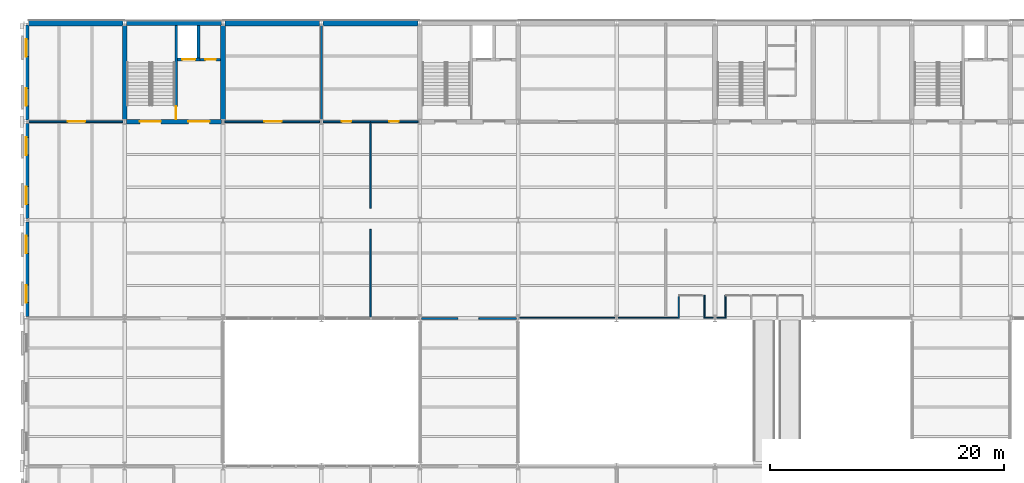
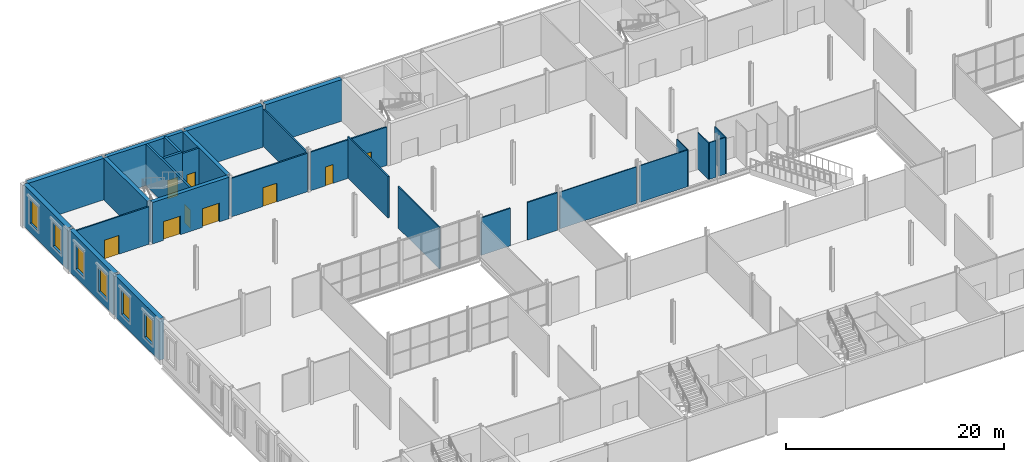
# One storey, part 30 of 52: 30 walls, 9 doors, 6 windows, 15 openings.
"""IFC4 building model written with IfcOpenShell, lengths in metres."""

from ifc_helpers import new_model, si_unit, direction, frame, frame_2d, origin, place, context, subcontext, project, spatial, rectangle, extrude, material, layer, layer_set, type_object, element, fill, save


model = new_model("IFC4")

# Units and contexts
model_context = context("Model", 3, precision=1e-05, world=origin(), true_north=direction((0.0, 1.0)))
body_context = subcontext(model_context, "Body", "Model", "MODEL_VIEW")
ifc_project = project(units=[si_unit("LENGTHUNIT", "METRE"), si_unit("AREAUNIT", "SQUARE_METRE"), si_unit("VOLUMEUNIT", "CUBIC_METRE"), si_unit("PLANEANGLEUNIT", "RADIAN"), si_unit("MASSUNIT", "GRAM", prefix="KILO")], contexts=[model_context])

# Site, building, storey
site_placement = place(None, origin())
site = spatial("IfcSite", under=ifc_project, at=site_placement, CompositionType="ELEMENT")
building_placement = place(site_placement, origin())
building = spatial("IfcBuilding", under=site, at=building_placement, Name="Galleria Vessillo Department Store", CompositionType="ELEMENT")
storey_placement = place(building_placement, frame((0.0, 0.0, 16.199951171875)))
storey = spatial("IfcBuildingStorey", under=building, at=storey_placement, Name="L03", CompositionType="ELEMENT", Elevation=16.199951171875)

# Walls
ifc_material_1 = material(Name="Fire-resisting glass in steel frame S355 J2", Category="steel")
ifc_layer_1 = layer(ifc_material_1, 0.10009765625)
ifc_layer_set_1 = layer_set([ifc_layer_1], Name="Fire-resisting glass in steel frame S355 J2")
wall_type_1 = type_object("IfcWallType", Name="Fire-resisting glazed screen EI 120-Sa 100 mm", PredefinedType="PARTITIONING", material=ifc_layer_set_1)
wall_1_placement = place(storey_placement, frame((42.152587890625, 37.85009765625, 0.0), z_axis=(0.0, 0.0, 1.0), x_axis=(1.0, 0.0, 0.0)))
element("IfcWall", 1, at=wall_1_placement, inside=storey, type_object=wall_type_1, Name="Fire screen, atrium edge L03", PredefinedType="PARTITIONING", context=body_context, shape_type="SweptSolid", body=[
    extrude(rectangle(XDim=8.094482421875, YDim=0.10009765625, at=frame_2d((4.04736328125, 0.0))), origin(), (0.0, 0.0, 1.0), 4.110107421875),
])
wall_2_placement = place(storey_placement, frame((50.552978515625, 37.85009765625, 0.0), z_axis=(0.0, 0.0, 1.0), x_axis=(1.0, 0.0, 0.0)))
element("IfcWall", 2, at=wall_2_placement, inside=storey, type_object=wall_type_1, Name="Fire screen, atrium edge L03", PredefinedType="PARTITIONING", context=body_context, shape_type="SweptSolid", body=[
    extrude(rectangle(XDim=5.09716796875, YDim=0.10009765625, at=frame_2d((2.548583984375, 0.0))), origin(), (0.0, 0.0, 1.0), 4.110107421875),
])
wall_3_placement = place(storey_placement, frame((57.949951171875, 37.85009765625, 0.0), z_axis=(0.0, 0.0, 1.0), x_axis=(1.0, 0.0, 0.0)))
element("IfcWall", 3, at=wall_3_placement, inside=storey, type_object=wall_type_1, Name="Fire screen, atrium edge L03", PredefinedType="PARTITIONING", context=body_context, shape_type="SweptSolid", body=[
    extrude(rectangle(XDim=0.697021484375, YDim=0.10009765625, at=frame_2d((0.3486328125, 0.0))), origin(), (0.0, 0.0, 1.0), 4.110107421875),
])
wall_4_placement = place(storey_placement, frame((58.952880859375, 37.85009765625, 0.0), z_axis=(0.0, 0.0, 1.0), x_axis=(1.0, 0.0, 0.0)))
element("IfcWall", 4, at=wall_4_placement, inside=storey, type_object=wall_type_1, Name="Fire screen, atrium edge L03", PredefinedType="PARTITIONING", context=body_context, shape_type="SweptSolid", body=[
    extrude(rectangle(XDim=0.697265625, YDim=0.10009765625, at=frame_2d((0.3486328125, 0.0))), origin(), (0.0, 0.0, 1.0), 4.110107421875),
])
for number, where, z_axis, x_axis, name in (
    (5, (55.7001953125, 37.800048828125, 0.0), (0.0, 0.0, 1.0), (0.0, 1.0, 0.0), "Fire screen, landing alcove side L03"),
    (6, (57.89990234375, 37.800048828125, 0.0), (0.0, 0.0, 1.0), (0.0, 1.0, 0.0), "Fire screen, landing alcove side L03"),
    (7, (59.7001953125, 37.800048828125, 0.0), (0.0, 0.0, 1.0), (0.0, 1.0, 0.0), "Fire screen, landing alcove side L03"),
):
    element("IfcWall", number, at=place(storey_placement, frame(where, z_axis=z_axis, x_axis=x_axis)), inside=storey, type_object=wall_type_1, Name=name, PredefinedType="PARTITIONING", context=body_context, shape_type="SweptSolid", body=[
        extrude(rectangle(XDim=2.0, YDim=0.10009765625, at=frame_2d((1.0, 0.0))), origin(), (0.0, 0.0, 1.0), 4.110107421875),
    ])

# Wall, opening, door
ifc_material_2 = material(Name="Solid clay block masonry", Category="masonry")
ifc_layer_2 = layer(ifc_material_2, 0.25)
ifc_layer_set_2 = layer_set([ifc_layer_2], Name="Solid clay block masonry")
wall_type_2 = type_object("IfcWallType", Name="Lift shaft wall 250 mm", PredefinedType="SOLIDWALL", material=ifc_layer_set_2)
wall_5_placement = place(storey_placement, frame((12.89990234375, 59.925048828125, 0.0), z_axis=(0.0, 0.0, 1.0), x_axis=(1.0, 0.0, 0.0)))
wall_5 = element("IfcWall", 8, at=wall_5_placement, inside=storey, type_object=wall_type_2, Name="Lift shaft wall LP2 landing side L03", PredefinedType="SOLIDWALL", context=body_context, shape_type="SweptSolid", body=[
    extrude(rectangle(XDim=1.9501953125, YDim=0.25, at=frame_2d((0.97509765625, 0.0))), origin(), (0.0, 0.0, 1.0), 4.800048828125),
])
opening_1_placement = place(wall_5_placement, frame((0.425048828125, 0.0, 0.0)))
opening_1 = element("IfcOpeningElement", 9, at=opening_1_placement, cuts=wall_5, Name="Opening LD014", PredefinedType="OPENING", context=body_context, shape_type="SweptSolid", body=[
    extrude(rectangle(XDim=1.10009765625, YDim=2.10009765625, at=frame_2d((0.550048828125, 1.050048828125))), frame((0.0, 0.135009765625, 0.0), z_axis=(0.0, -1.0, 0.0), x_axis=(1.0, 0.0, 0.0)), (0.0, 0.0, 1.0), 0.27001953125),
])
ifc_material_3 = material(Name="Stainless steel lift door panel", Category="steel")
door_type_1 = type_object("IfcDoorType", Name="Lift landing door LD110 sliding 1100 x 2100", OperationType="SLIDING_TO_LEFT", PredefinedType="DOOR", material=ifc_material_3)
door_1_placement = place(opening_1_placement, frame((1.10009765625, 0.0, 0.0), z_axis=(0.0, 0.0, 1.0), x_axis=(-1.0, 0.0, 0.0)))
door_1 = element("IfcDoor", 10, at=door_1_placement, inside=storey, type_object=door_type_1, Name="Lift landing door LP2 L03", OperationType="SLIDING_TO_RIGHT", OverallHeight=2.10009765625, OverallWidth=1.10009765625, PredefinedType="DOOR", context=body_context, shape_type="SweptSolid", body=[
    extrude(rectangle(XDim=1.10009765625, YDim=2.10009765625, at=frame_2d((0.550048828125, 1.050048828125))), frame((0.0, 0.02490234375, 0.0), z_axis=(0.0, -1.0, 0.0), x_axis=(1.0, 0.0, 0.0)), (0.0, 0.0, 1.0), 0.050048828125),
])
fill(opening_1, door_1)

# Wall
wall_6_placement = place(storey_placement, frame((14.72509765625, 62.800048828125, 0.0), z_axis=(0.0, 0.0, 1.0), x_axis=(0.0, -1.0, 0.0)))
element("IfcWall", 11, at=wall_6_placement, inside=storey, type_object=wall_type_2, Name="Lift shaft wall LP2 L03", PredefinedType="SOLIDWALL", context=body_context, shape_type="SweptSolid", body=[
    extrude(rectangle(XDim=2.75, YDim=0.25, at=frame_2d((1.375, 0.0))), origin(), (0.0, 0.0, 1.0), 4.800048828125),
])

# Wall, openings, windows
ifc_material_4 = material(Name="Reinforced masonry, limestone units 80 MPa", Category="masonry")
ifc_layer_3 = layer(ifc_material_4, 0.5)
ifc_layer_set_3 = layer_set([ifc_layer_3], Name="Reinforced masonry, limestone units 80 MPa")
wall_type_3 = type_object("IfcWallType", Name="Load-bearing limestone-faced wall 500 mm", PredefinedType="STANDARD", material=ifc_layer_set_3)
wall_7_placement = place(storey_placement, frame((0.0, 37.949951171875, 0.0), z_axis=(0.0, 0.0, 1.0), x_axis=(0.0, 1.0, 0.0)))
wall_7 = element("IfcWall", 12, at=wall_7_placement, inside=storey, type_object=wall_type_3, Name="Load-bearing limestone-faced wall 500 mm SW-L03-05", PredefinedType="STANDARD", context=body_context, shape_type="SweptSolid", body=[
    extrude(rectangle(XDim=8.10009765625, YDim=0.5, at=frame_2d((4.050048828125, 0.0))), origin(), (0.0, 0.0, 1.0), 4.650146484375),
])
opening_2_placement = place(wall_7_placement, frame((1.199951171875, 0.0, 1.0)))
opening_2 = element("IfcOpeningElement", 13, at=opening_2_placement, cuts=wall_7, Name="Opening W022", PredefinedType="OPENING", context=body_context, shape_type="SweptSolid", body=[
    extrude(rectangle(XDim=1.5, YDim=2.699951171875, at=frame_2d((0.75, 1.35009765625))), frame((0.0, 0.260009765625, 0.0), z_axis=(0.0, -1.0, 0.0), x_axis=(1.0, 0.0, 0.0)), (0.0, 0.0, 1.0), 0.52001953125),
])
opening_3_placement = place(wall_7_placement, frame((5.400146484375, 0.0, 1.0)))
opening_3 = element("IfcOpeningElement", 14, at=opening_3_placement, cuts=wall_7, Name="Opening W023", PredefinedType="OPENING", context=body_context, shape_type="SweptSolid", body=[
    extrude(rectangle(XDim=1.5, YDim=2.699951171875, at=frame_2d((0.75, 1.35009765625))), frame((0.0, 0.260009765625, 0.0), z_axis=(0.0, -1.0, 0.0), x_axis=(1.0, 0.0, 0.0)), (0.0, 0.0, 1.0), 0.52001953125),
])
ifc_material_5 = material(Name="Aluminium frame with laminated glass 44.2", Category="aluminium")
window_type = type_object("IfcWindowType", Name="Second order window 1500 x 2700", PartitioningType="SINGLE_PANEL", PredefinedType="WINDOW", material=ifc_material_5)
window_1_placement = place(opening_2_placement, origin())
window_1 = element("IfcWindow", 15, at=window_1_placement, inside=storey, type_object=window_type, Name="E-WIN-SW-L03-05-022", OverallHeight=2.699951171875, OverallWidth=1.5, PartitioningType="SINGLE_PANEL", PredefinedType="WINDOW", context=body_context, shape_type="SweptSolid", body=[
    extrude(rectangle(XDim=1.5, YDim=2.699951171875, at=frame_2d((0.75, 1.35009765625))), frame((0.0, 0.030029296875, 0.0), z_axis=(0.0, -1.0, 0.0), x_axis=(1.0, 0.0, 0.0)), (0.0, 0.0, 1.0), 0.06005859375),
])
fill(opening_2, window_1)
window_2_placement = place(opening_3_placement, origin())
window_2 = element("IfcWindow", 16, at=window_2_placement, inside=storey, type_object=window_type, Name="E-WIN-SW-L03-05-023", OverallHeight=2.699951171875, OverallWidth=1.5, PartitioningType="SINGLE_PANEL", PredefinedType="WINDOW", context=body_context, shape_type="SweptSolid", body=[
    extrude(rectangle(XDim=1.5, YDim=2.699951171875, at=frame_2d((0.75, 1.35009765625))), frame((0.0, 0.030029296875, 0.0), z_axis=(0.0, -1.0, 0.0), x_axis=(1.0, 0.0, 0.0)), (0.0, 0.0, 1.0), 0.06005859375),
])
fill(opening_3, window_2)

wall_8_placement = place(storey_placement, frame((0.0, 46.349853515625, 0.0), z_axis=(0.0, 0.0, 1.0), x_axis=(0.0, 1.0, 0.0)))
wall_8 = element("IfcWall", 17, at=wall_8_placement, inside=storey, type_object=wall_type_3, Name="Load-bearing limestone-faced wall 500 mm SW-L03-06", PredefinedType="STANDARD", context=body_context, shape_type="SweptSolid", body=[
    extrude(rectangle(XDim=8.100341796875, YDim=0.5, at=frame_2d((4.05029296875, 0.0))), origin(), (0.0, 0.0, 1.0), 4.650146484375),
])
opening_4_placement = place(wall_8_placement, frame((1.2001953125, 0.0, 1.0)))
opening_4 = element("IfcOpeningElement", 18, at=opening_4_placement, cuts=wall_8, Name="Opening W024", PredefinedType="OPENING", context=body_context, shape_type="SweptSolid", body=[
    extrude(rectangle(XDim=1.5, YDim=2.699951171875, at=frame_2d((0.75, 1.35009765625))), frame((0.0, 0.260009765625, 0.0), z_axis=(0.0, -1.0, 0.0), x_axis=(1.0, 0.0, 0.0)), (0.0, 0.0, 1.0), 0.52001953125),
])
opening_5_placement = place(wall_8_placement, frame((5.400146484375, 0.0, 1.0)))
opening_5 = element("IfcOpeningElement", 19, at=opening_5_placement, cuts=wall_8, Name="Opening W025", PredefinedType="OPENING", context=body_context, shape_type="SweptSolid", body=[
    extrude(rectangle(XDim=1.5, YDim=2.699951171875, at=frame_2d((0.75, 1.35009765625))), frame((0.0, 0.260009765625, 0.0), z_axis=(0.0, -1.0, 0.0), x_axis=(1.0, 0.0, 0.0)), (0.0, 0.0, 1.0), 0.52001953125),
])
window_3_placement = place(opening_4_placement, origin())
window_3 = element("IfcWindow", 20, at=window_3_placement, inside=storey, type_object=window_type, Name="E-WIN-SW-L03-06-024", OverallHeight=2.699951171875, OverallWidth=1.5, PartitioningType="SINGLE_PANEL", PredefinedType="WINDOW", context=body_context, shape_type="SweptSolid", body=[
    extrude(rectangle(XDim=1.5, YDim=2.699951171875, at=frame_2d((0.75, 1.35009765625))), frame((0.0, 0.030029296875, 0.0), z_axis=(0.0, -1.0, 0.0), x_axis=(1.0, 0.0, 0.0)), (0.0, 0.0, 1.0), 0.06005859375),
])
fill(opening_4, window_3)
window_4_placement = place(opening_5_placement, origin())
window_4 = element("IfcWindow", 21, at=window_4_placement, inside=storey, type_object=window_type, Name="E-WIN-SW-L03-06-025", OverallHeight=2.699951171875, OverallWidth=1.5, PartitioningType="SINGLE_PANEL", PredefinedType="WINDOW", context=body_context, shape_type="SweptSolid", body=[
    extrude(rectangle(XDim=1.5, YDim=2.699951171875, at=frame_2d((0.75, 1.35009765625))), frame((0.0, 0.030029296875, 0.0), z_axis=(0.0, -1.0, 0.0), x_axis=(1.0, 0.0, 0.0)), (0.0, 0.0, 1.0), 0.06005859375),
])
fill(opening_5, window_4)

wall_9_placement = place(storey_placement, frame((0.0, 54.75, 0.0), z_axis=(0.0, 0.0, 1.0), x_axis=(0.0, 1.0, 0.0)))
wall_9 = element("IfcWall", 22, at=wall_9_placement, inside=storey, type_object=wall_type_3, Name="Load-bearing limestone-faced wall 500 mm SW-L03-07", PredefinedType="STANDARD", context=body_context, shape_type="SweptSolid", body=[
    extrude(rectangle(XDim=8.10009765625, YDim=0.5, at=frame_2d((4.050048828125, 0.0))), origin(), (0.0, 0.0, 1.0), 4.650146484375),
])
opening_6_placement = place(wall_9_placement, frame((1.199951171875, 0.0, 1.0)))
opening_6 = element("IfcOpeningElement", 23, at=opening_6_placement, cuts=wall_9, Name="Opening W026", PredefinedType="OPENING", context=body_context, shape_type="SweptSolid", body=[
    extrude(rectangle(XDim=1.5, YDim=2.699951171875, at=frame_2d((0.75, 1.35009765625))), frame((0.0, 0.260009765625, 0.0), z_axis=(0.0, -1.0, 0.0), x_axis=(1.0, 0.0, 0.0)), (0.0, 0.0, 1.0), 0.52001953125),
])
opening_7_placement = place(wall_9_placement, frame((5.39990234375, 0.0, 1.0)))
opening_7 = element("IfcOpeningElement", 24, at=opening_7_placement, cuts=wall_9, Name="Opening W027", PredefinedType="OPENING", context=body_context, shape_type="SweptSolid", body=[
    extrude(rectangle(XDim=1.5, YDim=2.699951171875, at=frame_2d((0.75, 1.35009765625))), frame((0.0, 0.260009765625, 0.0), z_axis=(0.0, -1.0, 0.0), x_axis=(1.0, 0.0, 0.0)), (0.0, 0.0, 1.0), 0.52001953125),
])
window_5_placement = place(opening_6_placement, origin())
window_5 = element("IfcWindow", 25, at=window_5_placement, inside=storey, type_object=window_type, Name="E-WIN-SW-L03-07-026", OverallHeight=2.699951171875, OverallWidth=1.5, PartitioningType="SINGLE_PANEL", PredefinedType="WINDOW", context=body_context, shape_type="SweptSolid", body=[
    extrude(rectangle(XDim=1.5, YDim=2.699951171875, at=frame_2d((0.75, 1.35009765625))), frame((0.0, 0.030029296875, 0.0), z_axis=(0.0, -1.0, 0.0), x_axis=(1.0, 0.0, 0.0)), (0.0, 0.0, 1.0), 0.06005859375),
])
fill(opening_6, window_5)
window_6_placement = place(opening_7_placement, origin())
window_6 = element("IfcWindow", 26, at=window_6_placement, inside=storey, type_object=window_type, Name="E-WIN-SW-L03-07-027", OverallHeight=2.699951171875, OverallWidth=1.5, PartitioningType="SINGLE_PANEL", PredefinedType="WINDOW", context=body_context, shape_type="SweptSolid", body=[
    extrude(rectangle(XDim=1.5, YDim=2.699951171875, at=frame_2d((0.75, 1.35009765625))), frame((0.0, 0.030029296875, 0.0), z_axis=(0.0, -1.0, 0.0), x_axis=(1.0, 0.0, 0.0)), (0.0, 0.0, 1.0), 0.06005859375),
])
fill(opening_7, window_6)

# Wall, openings, doors
ifc_material_6 = material(Name="Concrete C32/40 reinforced", Category="concrete")
ifc_layer_4 = layer(ifc_material_6, 0.39990234375)
ifc_layer_set_4 = layer_set([ifc_layer_4], Name="Concrete C32/40 reinforced")
wall_type_4 = type_object("IfcWallType", Name="Reinforced concrete core wall 400 mm", PredefinedType="SHEAR", material=ifc_layer_set_4)
wall_10_placement = place(storey_placement, frame((8.5498046875, 54.60009765625, 0.0), z_axis=(0.0, 0.0, 1.0), x_axis=(1.0, 0.0, 0.0)))
wall_10 = element("IfcWall", 27, at=wall_10_placement, inside=storey, type_object=wall_type_4, Name="S-CW-PC-NW-INTERIOR-L03", PredefinedType="SHEAR", context=body_context, shape_type="SweptSolid", body=[
    extrude(rectangle(XDim=8.100341796875, YDim=0.39990234375, at=frame_2d((4.05029296875, 0.0))), origin(), (0.0, 0.0, 1.0), 4.650146484375),
])
opening_8_placement = place(wall_10_placement, frame((1.150146484375, 0.0, 0.0)))
opening_8 = element("IfcOpeningElement", 28, at=opening_8_placement, cuts=wall_10, Name="Opening D5055", PredefinedType="OPENING", context=body_context, shape_type="SweptSolid", body=[
    extrude(rectangle(XDim=1.800048828125, YDim=2.10009765625, at=frame_2d((0.89990234375, 1.050048828125))), frame((0.0, 0.2099609375, 0.0), z_axis=(0.0, -1.0, 0.0), x_axis=(1.0, 0.0, 0.0)), (0.0, 0.0, 1.0), 0.419921875),
])
opening_9_placement = place(wall_10_placement, frame((5.300048828125, 0.0, 0.0)))
opening_9 = element("IfcOpeningElement", 29, at=opening_9_placement, cuts=wall_10, Name="Opening D5056", PredefinedType="OPENING", context=body_context, shape_type="SweptSolid", body=[
    extrude(rectangle(XDim=1.800048828125, YDim=2.10009765625, at=frame_2d((0.89990234375, 1.050048828125))), frame((0.0, 0.2099609375, 0.0), z_axis=(0.0, -1.0, 0.0), x_axis=(1.0, 0.0, 0.0)), (0.0, 0.0, 1.0), 0.419921875),
])
ifc_material_7 = material(Name="Fire-rated steel door leaf", Category="steel")
door_type_2 = type_object("IfcDoorType", Name="Door D180F double leaf 1800 x 2100", OperationType="DOUBLE_DOOR_SINGLE_SWING", PredefinedType="DOOR", material=ifc_material_7)
door_2_placement = place(opening_8_placement, origin())
door_2 = element("IfcDoor", 30, at=door_2_placement, inside=storey, type_object=door_type_2, Name="Lobby door PC-NW-ST-FLOOR L03", OperationType="DOUBLE_DOOR_SINGLE_SWING", OverallHeight=2.10009765625, OverallWidth=1.800048828125, PredefinedType="DOOR", context=body_context, shape_type="SweptSolid", body=[
    extrude(rectangle(XDim=1.800048828125, YDim=2.10009765625, at=frame_2d((0.89990234375, 1.050048828125))), frame((0.0, 0.02490234375, 0.0), z_axis=(0.0, -1.0, 0.0), x_axis=(1.0, 0.0, 0.0)), (0.0, 0.0, 1.0), 0.050048828125),
])
fill(opening_8, door_2)
door_3_placement = place(opening_9_placement, origin())
door_3 = element("IfcDoor", 31, at=door_3_placement, inside=storey, type_object=door_type_2, Name="Lobby door PC-NW-LOBBY-FLOOR L03", OperationType="DOUBLE_DOOR_SINGLE_SWING", OverallHeight=2.10009765625, OverallWidth=1.800048828125, PredefinedType="DOOR", context=body_context, shape_type="SweptSolid", body=[
    extrude(rectangle(XDim=1.800048828125, YDim=2.10009765625, at=frame_2d((0.89990234375, 1.050048828125))), frame((0.0, 0.02490234375, 0.0), z_axis=(0.0, -1.0, 0.0), x_axis=(1.0, 0.0, 0.0)), (0.0, 0.0, 1.0), 0.050048828125),
])
fill(opening_9, door_3)

# Walls
wall_11_placement = place(storey_placement, frame((16.800048828125, 54.800048828125, 0.0), z_axis=(0.0, 0.0, 1.0), x_axis=(0.0, 1.0, 0.0)))
element("IfcWall", 32, at=wall_11_placement, inside=storey, type_object=wall_type_4, Name="S-CW-PC-NW-EAST-L03", PredefinedType="SHEAR", context=body_context, shape_type="SweptSolid", body=[
    extrude(rectangle(XDim=8.0, YDim=0.39990234375, at=frame_2d((4.0, 0.0))), origin(), (0.0, 0.0, 1.0), 4.650146484375),
])
ifc_material_8 = material(Name="Concrete C32/40 reinforced", Category="concrete")
ifc_layer_5 = layer(ifc_material_8, 0.39990234375)
ifc_layer_set_5 = layer_set([ifc_layer_5], Name="Concrete C32/40 reinforced")
wall_type_5 = type_object("IfcWallType", Name="Reinforced concrete core wall 400 mm, external", PredefinedType="SHEAR", material=ifc_layer_set_5)
wall_12_placement = place(storey_placement, frame((8.5498046875, 63.0, 0.0), z_axis=(0.0, 0.0, 1.0), x_axis=(1.0, 0.0, 0.0)))
element("IfcWall", 33, at=wall_12_placement, inside=storey, type_object=wall_type_5, Name="S-CW-PC-NW-PARTY-L03", PredefinedType="SHEAR", context=body_context, shape_type="SweptSolid", body=[
    extrude(rectangle(XDim=8.100341796875, YDim=0.39990234375, at=frame_2d((4.05029296875, 0.0))), origin(), (0.0, 0.0, 1.0), 4.650146484375),
])
wall_13_placement = place(storey_placement, frame((8.39990234375, 54.800048828125, 0.0), z_axis=(0.0, 0.0, 1.0), x_axis=(0.0, 1.0, 0.0)))
element("IfcWall", 34, at=wall_13_placement, inside=storey, type_object=wall_type_5, Name="S-CW-PC-NW-WEST-L03", PredefinedType="SHEAR", context=body_context, shape_type="SweptSolid", body=[
    extrude(rectangle(XDim=8.0, YDim=0.39990234375, at=frame_2d((4.0, 0.0))), origin(), (0.0, 0.0, 1.0), 4.650146484375),
])
ifc_material_9 = material(Name="Concrete C32/40 reinforced", Category="concrete")
ifc_layer_6 = layer(ifc_material_9, 0.5)
ifc_layer_set_6 = layer_set([ifc_layer_6], Name="Concrete C32/40 reinforced")
wall_type_6 = type_object("IfcWallType", Name="Reinforced concrete party wall 500 mm", PredefinedType="SHEAR", material=ifc_layer_set_6)
wall_14_placement = place(storey_placement, frame((0.199951171875, 63.0, 0.0), z_axis=(0.0, 0.0, 1.0), x_axis=(1.0, 0.0, 0.0)))
element("IfcWall", 35, at=wall_14_placement, inside=storey, type_object=wall_type_6, Name="S-PN-L03-01", PredefinedType="SHEAR", context=body_context, shape_type="SweptSolid", body=[
    extrude(rectangle(XDim=8.050048828125, YDim=0.5, at=frame_2d((4.02490234375, 0.0))), origin(), (0.0, 0.0, 1.0), 4.650146484375),
])
wall_15_placement = place(storey_placement, frame((16.949951171875, 63.0, 0.0), z_axis=(0.0, 0.0, 1.0), x_axis=(1.0, 0.0, 0.0)))
element("IfcWall", 36, at=wall_15_placement, inside=storey, type_object=wall_type_6, Name="S-PN-L03-02", PredefinedType="SHEAR", context=body_context, shape_type="SweptSolid", body=[
    extrude(rectangle(XDim=8.10009765625, YDim=0.5, at=frame_2d((4.050048828125, 0.0))), origin(), (0.0, 0.0, 1.0), 4.650146484375),
])
wall_16_placement = place(storey_placement, frame((25.349853515625, 63.0, 0.0), z_axis=(0.0, 0.0, 1.0), x_axis=(1.0, 0.0, 0.0)))
element("IfcWall", 37, at=wall_16_placement, inside=storey, type_object=wall_type_6, Name="S-PN-L03-03", PredefinedType="SHEAR", context=body_context, shape_type="SweptSolid", body=[
    extrude(rectangle(XDim=8.100341796875, YDim=0.5, at=frame_2d((4.05029296875, 0.0))), origin(), (0.0, 0.0, 1.0), 4.650146484375),
])

# Wall, opening, door
ifc_material_10 = material(Name="Concrete C32/40 reinforced", Category="concrete")
ifc_layer_7 = layer(ifc_material_10, 0.199951171875)
ifc_layer_set_7 = layer_set([ifc_layer_7], Name="Concrete C32/40 reinforced")
wall_type_7 = type_object("IfcWallType", Name="Reinforced concrete stair enclosure wall 200 mm", PredefinedType="SHEAR", material=ifc_layer_set_7)
wall_17_placement = place(storey_placement, frame((12.7998046875, 62.800048828125, 0.0), z_axis=(0.0, 0.0, 1.0), x_axis=(0.0, -1.0, 0.0)))
wall_17 = element("IfcWall", 38, at=wall_17_placement, inside=storey, type_object=wall_type_7, Name="Stair enclosure wall PC-NW L03", PredefinedType="SHEAR", context=body_context, shape_type="SweptSolid", body=[
    extrude(rectangle(XDim=8.0, YDim=0.199951171875, at=frame_2d((4.0, 0.0))), origin(), (0.0, 0.0, 1.0), 4.650146484375),
])
opening_10_placement = place(wall_17_placement, frame((6.89990234375, 0.0, 0.0)))
opening_10 = element("IfcOpeningElement", 39, at=opening_10_placement, cuts=wall_17, Name="Opening D5053", PredefinedType="OPENING", context=body_context, shape_type="SweptSolid", body=[
    extrude(rectangle(XDim=1.11009765625, YDim=2.10009765625, at=frame_2d((0.554931640625, 1.050048828125))), frame((0.0, 0.10986328125, 0.0), z_axis=(0.0, -1.0, 0.0), x_axis=(1.0, 0.0, 0.0)), (0.0, 0.0, 1.0), 0.219970703125),
])
ifc_material_11 = material(Name="Fire-rated steel door leaf", Category="steel")
door_type_3 = type_object("IfcDoorType", Name="Door D110F stair door 1100 x 2100", OperationType="SINGLE_SWING_LEFT", PredefinedType="DOOR", material=ifc_material_11)
door_4_placement = place(opening_10_placement, frame((1.10009765625, 0.0, 0.0), z_axis=(0.0, 0.0, 1.0), x_axis=(-1.0, 0.0, 0.0)))
door_4 = element("IfcDoor", 40, at=door_4_placement, inside=storey, type_object=door_type_3, Name="Stair door PC-NW-ST-LOBBY L03", OperationType="SINGLE_SWING_LEFT", OverallHeight=2.10009765625, OverallWidth=1.10009765625, PredefinedType="DOOR", context=body_context, shape_type="SweptSolid", body=[
    extrude(rectangle(XDim=1.10009765625, YDim=2.10009765625, at=frame_2d((0.550048828125, 1.050048828125))), frame((0.0, 0.02490234375, 0.0), z_axis=(0.0, -1.0, 0.0), x_axis=(1.0, 0.0, 0.0)), (0.0, 0.0, 1.0), 0.050048828125),
])
fill(opening_10, door_4)

ifc_material_12 = material(Name="Hollow clay block masonry", Category="masonry")
ifc_layer_8 = layer(ifc_material_12, 0.199951171875)
ifc_layer_set_8 = layer_set([ifc_layer_8], Name="Hollow clay block masonry")
wall_type_8 = type_object("IfcWallType", Name="Riser and service room wall 200 mm", PredefinedType="PARTITIONING", material=ifc_layer_set_8)
wall_18_placement = place(storey_placement, frame((14.85009765625, 59.900146484375, 0.0), z_axis=(0.0, 0.0, 1.0), x_axis=(1.0, 0.0, 0.0)))
wall_18 = element("IfcWall", 41, at=wall_18_placement, inside=storey, type_object=wall_type_8, Name="Riser wall PC-NW-RISER L03", PredefinedType="PARTITIONING", context=body_context, shape_type="SweptSolid", body=[
    extrude(rectangle(XDim=1.75, YDim=0.199951171875, at=frame_2d((0.875, 0.0))), origin(), (0.0, 0.0, 1.0), 4.650146484375),
])
opening_11_placement = place(wall_18_placement, frame((0.449951171875, 0.0, 0.0)))
opening_11 = element("IfcOpeningElement", 42, at=opening_11_placement, cuts=wall_18, Name="Opening D5054", PredefinedType="OPENING", context=body_context, shape_type="SweptSolid", body=[
    extrude(rectangle(XDim=0.89990234375, YDim=2.10009765625, at=frame_2d((0.449951171875, 1.050048828125))), frame((0.0, 0.10986328125, 0.0), z_axis=(0.0, -1.0, 0.0), x_axis=(1.0, 0.0, 0.0)), (0.0, 0.0, 1.0), 0.219970703125),
])
ifc_material_13 = material(Name="Fire-rated steel door leaf", Category="steel")
door_type_4 = type_object("IfcDoorType", Name="Door DR90 riser access 900 x 2100", OperationType="SINGLE_SWING_LEFT", PredefinedType="DOOR", material=ifc_material_13)
door_5_placement = place(opening_11_placement, origin())
door_5 = element("IfcDoor", 43, at=door_5_placement, inside=storey, type_object=door_type_4, Name="Riser door PC-NW-RISER-D L03", OperationType="SINGLE_SWING_RIGHT", OverallHeight=2.10009765625, OverallWidth=0.89990234375, PredefinedType="DOOR", context=body_context, shape_type="SweptSolid", body=[
    extrude(rectangle(XDim=0.89990234375, YDim=2.10009765625, at=frame_2d((0.449951171875, 1.050048828125))), frame((0.0, 0.02490234375, 0.0), z_axis=(0.0, -1.0, 0.0), x_axis=(1.0, 0.0, 0.0)), (0.0, 0.0, 1.0), 0.050048828125),
])
fill(opening_11, door_5)

# Walls
ifc_material_14 = material(Name="Gypsum board partition")
ifc_layer_9 = layer(ifc_material_14, 0.139892578125)
ifc_layer_set_9 = layer_set([ifc_layer_9], Name="Gypsum board partition")
wall_type_9 = type_object("IfcWallType", Name="Sales dividing wall 140 mm", PredefinedType="PARTITIONING", material=ifc_layer_set_9)
wall_19_placement = place(storey_placement, frame((29.39990234375, 37.800048828125, 0.0), z_axis=(0.0, 0.0, 1.0), x_axis=(0.0, 1.0, 0.0)))
element("IfcWall", 44, at=wall_19_placement, inside=storey, type_object=wall_type_9, Name="Partition wall PT3 on L03 no. 061", PredefinedType="PARTITIONING", context=body_context, shape_type="SweptSolid", body=[
    extrude(rectangle(XDim=7.60009765625, YDim=0.139892578125, at=frame_2d((3.800048828125, 0.0))), origin(), (0.0, 0.0, 1.0), 4.650146484375),
])
wall_20_placement = place(storey_placement, frame((29.39990234375, 47.199951171875, 0.0), z_axis=(0.0, 0.0, 1.0), x_axis=(0.0, 1.0, 0.0)))
element("IfcWall", 45, at=wall_20_placement, inside=storey, type_object=wall_type_9, Name="Partition wall PT3 on L03 no. 062", PredefinedType="PARTITIONING", context=body_context, shape_type="SweptSolid", body=[
    extrude(rectangle(XDim=7.400146484375, YDim=0.139892578125, at=frame_2d((3.7001953125, 0.0))), origin(), (0.0, 0.0, 1.0), 4.650146484375),
])
wall_21_placement = place(storey_placement, frame((33.752685546875, 37.800048828125, 0.0), z_axis=(0.0, 0.0, 1.0), x_axis=(1.0, 0.0, 0.0)))
element("IfcWall", 46, at=wall_21_placement, inside=storey, type_object=wall_type_9, Name="Partition wall PT3 on L03 no. 068", PredefinedType="PARTITIONING", context=body_context, shape_type="SweptSolid", body=[
    extrude(rectangle(XDim=3.099853515625, YDim=0.139892578125, at=frame_2d((1.5498046875, 0.0))), origin(), (0.0, 0.0, 1.0), 4.210205078125),
])
wall_22_placement = place(storey_placement, frame((38.652587890625, 37.800048828125, 0.0), z_axis=(0.0, 0.0, 1.0), x_axis=(1.0, 0.0, 0.0)))
element("IfcWall", 47, at=wall_22_placement, inside=storey, type_object=wall_type_9, Name="Partition wall PT3 on L03 no. 069", PredefinedType="PARTITIONING", context=body_context, shape_type="SweptSolid", body=[
    extrude(rectangle(XDim=3.19482421875, YDim=0.139892578125, at=frame_2d((1.597412109375, 0.0))), origin(), (0.0, 0.0, 1.0), 4.210205078125),
])
ifc_material_15 = material(Name="Concrete blockwork", Category="masonry")
ifc_layer_10 = layer(ifc_material_15, 0.14990234375)
ifc_layer_set_10 = layer_set([ifc_layer_10], Name="Concrete blockwork")
wall_type_10 = type_object("IfcWallType", Name="Stockroom blockwork wall 150 mm", PredefinedType="SOLIDWALL", material=ifc_layer_set_10)
wall_23_placement = place(storey_placement, frame((25.199951171875, 54.800048828125, 0.0), z_axis=(0.0, 0.0, 1.0), x_axis=(0.0, 1.0, 0.0)))
element("IfcWall", 48, at=wall_23_placement, inside=storey, type_object=wall_type_10, Name="Partition wall PT4 on L03 no. 024", PredefinedType="SOLIDWALL", context=body_context, shape_type="SweptSolid", body=[
    extrude(rectangle(XDim=8.0, YDim=0.14990234375, at=frame_2d((4.0, 0.0))), origin(), (0.0, 0.0, 1.0), 4.210205078125),
])

# Wall, opening, door
wall_24_placement = place(storey_placement, frame((16.949951171875, 54.60009765625, 0.0), z_axis=(0.0, 0.0, 1.0), x_axis=(1.0, 0.0, 0.0)))
wall_24 = element("IfcWall", 49, at=wall_24_placement, inside=storey, type_object=wall_type_10, Name="Partition wall PT4 on L03 no. 025", PredefinedType="SOLIDWALL", context=body_context, shape_type="SweptSolid", body=[
    extrude(rectangle(XDim=8.10009765625, YDim=0.14990234375, at=frame_2d((4.050048828125, 0.0))), origin(), (0.0, 0.0, 1.0), 4.320068359375),
])
opening_12_placement = place(wall_24_placement, frame((3.35009765625, 0.0, 0.0)))
opening_12 = element("IfcOpeningElement", 50, at=opening_12_placement, cuts=wall_24, Name="Opening D2516", PredefinedType="OPENING", context=body_context, shape_type="SweptSolid", body=[
    extrude(rectangle(XDim=1.5, YDim=2.10009765625, at=frame_2d((0.75, 1.050048828125))), frame((0.0, 0.0849609375, 0.0), z_axis=(0.0, -1.0, 0.0), x_axis=(1.0, 0.0, 0.0)), (0.0, 0.0, 1.0), 0.169921875),
])
ifc_material_16 = material(Name="Steel fire door leaf", Category="steel")
door_type_5 = type_object("IfcDoorType", Name="Stockroom fire door 1500 double leaf", OperationType="DOUBLE_DOOR_SINGLE_SWING", PredefinedType="DOOR", material=ifc_material_16)
door_6_placement = place(opening_12_placement, origin())
door_6 = element("IfcDoor", 51, at=door_6_placement, inside=storey, type_object=door_type_5, Name="Door D2516", OperationType="DOUBLE_DOOR_SINGLE_SWING", OverallHeight=2.10009765625, OverallWidth=1.5, PredefinedType="DOOR", context=body_context, shape_type="SweptSolid", body=[
    extrude(rectangle(XDim=1.5, YDim=2.10009765625, at=frame_2d((0.75, 1.050048828125))), frame((0.0, 0.02490234375, 0.0), z_axis=(0.0, -1.0, 0.0), x_axis=(1.0, 0.0, 0.0)), (0.0, 0.0, 1.0), 0.050048828125),
])
fill(opening_12, door_6)

wall_25_placement = place(storey_placement, frame((25.349853515625, 54.60009765625, 0.0), z_axis=(0.0, 0.0, 1.0), x_axis=(1.0, 0.0, 0.0)))
wall_25 = element("IfcWall", 52, at=wall_25_placement, inside=storey, type_object=wall_type_10, Name="Partition wall PT4 on L03 no. 026", PredefinedType="SOLIDWALL", context=body_context, shape_type="SweptSolid", body=[
    extrude(rectangle(XDim=4.050048828125, YDim=0.14990234375, at=frame_2d((2.02490234375, 0.0))), origin(), (0.0, 0.0, 1.0), 4.320068359375),
])
opening_13_placement = place(wall_25_placement, frame((1.60009765625, 0.0, 0.0)))
opening_13 = element("IfcOpeningElement", 53, at=opening_13_placement, cuts=wall_25, Name="Opening D2517", PredefinedType="OPENING", context=body_context, shape_type="SweptSolid", body=[
    extrude(rectangle(XDim=0.800048828125, YDim=2.10009765625, at=frame_2d((0.39990234375, 1.050048828125))), frame((0.0, 0.0849609375, 0.0), z_axis=(0.0, -1.0, 0.0), x_axis=(1.0, 0.0, 0.0)), (0.0, 0.0, 1.0), 0.169921875),
])
ifc_material_17 = material(Name="Steel fire door leaf", Category="steel")
door_type_6 = type_object("IfcDoorType", Name="Fire door 800 staff door", OperationType="SINGLE_SWING_LEFT", PredefinedType="DOOR", material=ifc_material_17)
door_7_placement = place(opening_13_placement, origin())
door_7 = element("IfcDoor", 54, at=door_7_placement, inside=storey, type_object=door_type_6, Name="Door D2517", OperationType="SINGLE_SWING_RIGHT", OverallHeight=2.10009765625, OverallWidth=0.800048828125, PredefinedType="DOOR", context=body_context, shape_type="SweptSolid", body=[
    extrude(rectangle(XDim=0.800048828125, YDim=2.10009765625, at=frame_2d((0.39990234375, 1.050048828125))), frame((0.0, 0.02490234375, 0.0), z_axis=(0.0, -1.0, 0.0), x_axis=(1.0, 0.0, 0.0)), (0.0, 0.0, 1.0), 0.050048828125),
])
fill(opening_13, door_7)

wall_26_placement = place(storey_placement, frame((29.39990234375, 54.60009765625, 0.0), z_axis=(0.0, 0.0, 1.0), x_axis=(1.0, 0.0, 0.0)))
wall_26 = element("IfcWall", 55, at=wall_26_placement, inside=storey, type_object=wall_type_10, Name="Partition wall PT4 on L03 no. 027", PredefinedType="SOLIDWALL", context=body_context, shape_type="SweptSolid", body=[
    extrude(rectangle(XDim=4.05029296875, YDim=0.14990234375, at=frame_2d((2.025146484375, 0.0))), origin(), (0.0, 0.0, 1.0), 4.320068359375),
])
opening_14_placement = place(wall_26_placement, frame((1.60009765625, 0.0, 0.0)))
opening_14 = element("IfcOpeningElement", 56, at=opening_14_placement, cuts=wall_26, Name="Opening D2518", PredefinedType="OPENING", context=body_context, shape_type="SweptSolid", body=[
    extrude(rectangle(XDim=0.800048828125, YDim=2.10009765625, at=frame_2d((0.39990234375, 1.050048828125))), frame((0.0, 0.0849609375, 0.0), z_axis=(0.0, -1.0, 0.0), x_axis=(1.0, 0.0, 0.0)), (0.0, 0.0, 1.0), 0.169921875),
])
door_8_placement = place(opening_14_placement, origin())
door_8 = element("IfcDoor", 57, at=door_8_placement, inside=storey, type_object=door_type_6, Name="Door D2518", OperationType="SINGLE_SWING_RIGHT", OverallHeight=2.10009765625, OverallWidth=0.800048828125, PredefinedType="DOOR", context=body_context, shape_type="SweptSolid", body=[
    extrude(rectangle(XDim=0.800048828125, YDim=2.10009765625, at=frame_2d((0.39990234375, 1.050048828125))), frame((0.0, 0.02490234375, 0.0), z_axis=(0.0, -1.0, 0.0), x_axis=(1.0, 0.0, 0.0)), (0.0, 0.0, 1.0), 0.050048828125),
])
fill(opening_14, door_8)

wall_27_placement = place(storey_placement, frame((0.199951171875, 54.60009765625, 0.0), z_axis=(0.0, 0.0, 1.0), x_axis=(1.0, 0.0, 0.0)))
wall_27 = element("IfcWall", 58, at=wall_27_placement, inside=storey, type_object=wall_type_10, Name="Partition wall PT4 on L03 no. 036", PredefinedType="SOLIDWALL", context=body_context, shape_type="SweptSolid", body=[
    extrude(rectangle(XDim=8.050048828125, YDim=0.14990234375, at=frame_2d((4.02490234375, 0.0))), origin(), (0.0, 0.0, 1.0), 4.210205078125),
])
opening_15_placement = place(wall_27_placement, frame((3.35009765625, 0.0, 0.0)))
opening_15 = element("IfcOpeningElement", 59, at=opening_15_placement, cuts=wall_27, Name="Opening D2524", PredefinedType="OPENING", context=body_context, shape_type="SweptSolid", body=[
    extrude(rectangle(XDim=1.5, YDim=2.10009765625, at=frame_2d((0.75, 1.050048828125))), frame((0.0, 0.0849609375, 0.0), z_axis=(0.0, -1.0, 0.0), x_axis=(1.0, 0.0, 0.0)), (0.0, 0.0, 1.0), 0.169921875),
])
door_9_placement = place(opening_15_placement, origin())
door_9 = element("IfcDoor", 60, at=door_9_placement, inside=storey, type_object=door_type_5, Name="Door D2524", OperationType="DOUBLE_DOOR_SINGLE_SWING", OverallHeight=2.10009765625, OverallWidth=1.5, PredefinedType="DOOR", context=body_context, shape_type="SweptSolid", body=[
    extrude(rectangle(XDim=1.5, YDim=2.10009765625, at=frame_2d((0.75, 1.050048828125))), frame((0.0, 0.02490234375, 0.0), z_axis=(0.0, -1.0, 0.0), x_axis=(1.0, 0.0, 0.0)), (0.0, 0.0, 1.0), 0.050048828125),
])
fill(opening_15, door_9)

save(model, "model.ifc")
